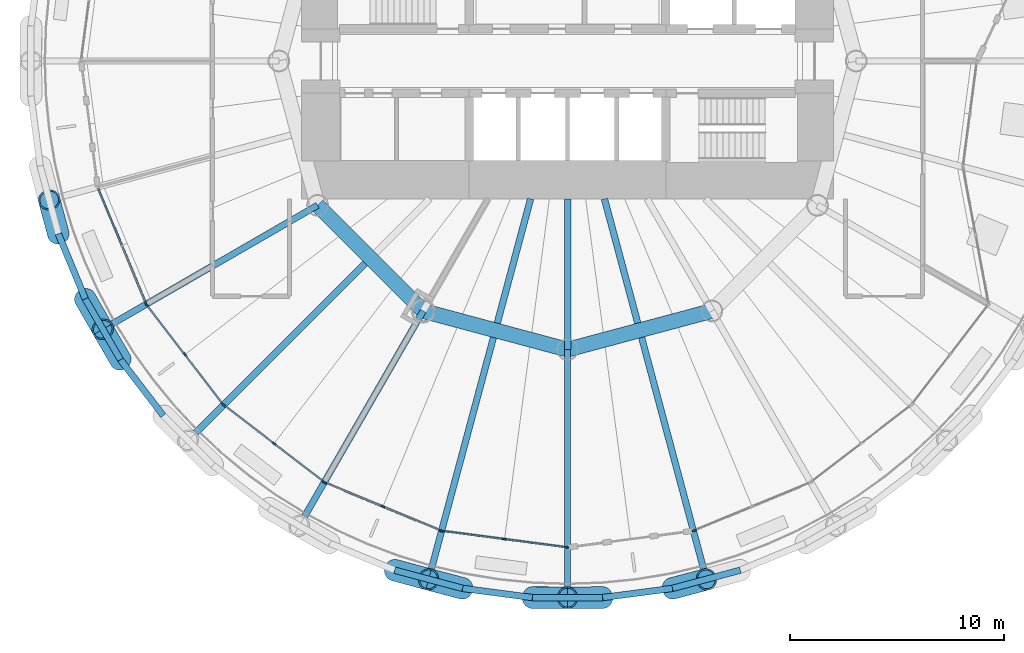
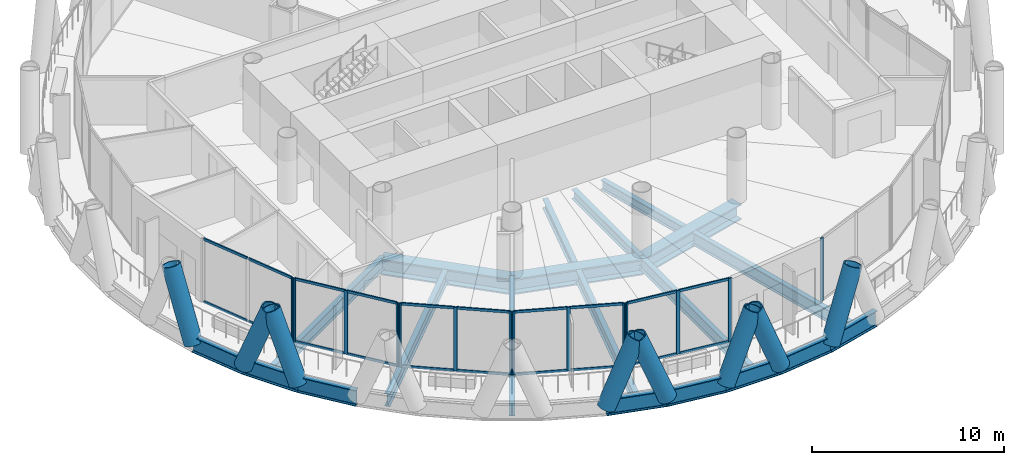
# One storey, part 2 of 15: 42 members, 20 beams, 6 elements without a shape of their own.
"""IFC4 building model written with IfcOpenShell, lengths in metres."""

from ifc_helpers import new_model, si_unit, direction, frame, origin, origin_2d, place, context, subcontext, project, spatial, rectangle, hollow_circle, i_section, extrude, material, material_profile, profile_set, type_object, element, aggregate, save


model = new_model("IFC4")

# Units and contexts
model_context = context("Model", 3, precision=1e-05, world=origin(), true_north=direction((0.0, 1.0)))
body_context = subcontext(model_context, "Body", "Model", "MODEL_VIEW")
ifc_project = project(units=[si_unit("LENGTHUNIT", "METRE"), si_unit("AREAUNIT", "SQUARE_METRE"), si_unit("VOLUMEUNIT", "CUBIC_METRE"), si_unit("PLANEANGLEUNIT", "RADIAN"), si_unit("MASSUNIT", "GRAM", prefix="KILO")], contexts=[model_context])

# Site, building, storey
site_placement = place(None, origin())
site = spatial("IfcSite", under=ifc_project, at=site_placement, CompositionType="ELEMENT")
building_placement = place(site_placement, origin())
building = spatial("IfcBuilding", under=site, at=building_placement, Name="Qaws Media Tower", CompositionType="ELEMENT")
storey_placement = place(building_placement, frame((0.0, 0.0, 122.60009765625)))
storey = spatial("IfcBuildingStorey", under=building, at=storey_placement, Name="L27", CompositionType="ELEMENT", Elevation=122.60009765625)

# Curtain wall, member
ifc_material_1 = material(Name="Aluminium and clear glass", Category="aluminium")
curtain_wall_type = type_object("IfcCurtainWallType", Name="Unitised curtain wall CW-B", PredefinedType="NOTDEFINED", material=ifc_material_1)
curtain_wall_1_placement = place(storey_placement, origin())
curtain_wall_1 = element("IfcCurtainWall", 1, at=curtain_wall_1_placement, inside=storey, type_object=curtain_wall_type, Name="CWB curtain wall L27-14", PredefinedType="NOTDEFINED")
ifc_material_2 = material(Name="Aluminium mullion", Category="aluminium")
ifc_material_profile_1 = material_profile(ifc_material_2, rectangle(XDim=0.080078125, YDim=0.199951171875, at=origin_2d()), Name="80x200")
ifc_profile_set_1 = profile_set([ifc_material_profile_1], Name="Aluminium mullion")
member_type_1 = type_object("IfcMemberType", Name="Curtain wall mullion 80x200", PredefinedType="MULLION", material=ifc_profile_set_1)
member_1_placement = place(storey_placement, frame((40.28271484375, 38.661865234375, 0.0), z_axis=(0.0, 0.0, 1.0), x_axis=(0.923879516221, 0.382683471693, 0.0)))
member_1 = element("IfcMember", 2, at=member_1_placement, type_object=member_type_1, Name="CWB mullion 3", PredefinedType="MULLION", context=body_context, shape_type="SweptSolid", body=[
    extrude(rectangle(XDim=0.080078125, YDim=0.199951171875, at=origin_2d()), origin(), (0.0, 0.0, 1.0), 4.039794921875),
])

# Curtain wall, members
curtain_wall_2_placement = place(storey_placement, origin())
curtain_wall_2 = element("IfcCurtainWall", 3, at=curtain_wall_2_placement, inside=storey, type_object=curtain_wall_type, Name="CWB curtain wall L27-15", PredefinedType="NOTDEFINED")
member_2_placement = place(storey_placement, frame((40.322265625, 38.59326171875, 0.0), z_axis=(0.0, 0.0, 1.0), x_axis=(0.793353296007, 0.608761486721, 0.0)))
member_2 = element("IfcMember", 4, at=member_2_placement, type_object=member_type_1, Name="CWB mullion 1", PredefinedType="MULLION", context=body_context, shape_type="SweptSolid", body=[
    extrude(rectangle(XDim=0.080078125, YDim=0.199951171875, at=origin_2d()), origin(), (0.0, 0.0, 1.0), 4.039794921875),
])
member_3_placement = place(storey_placement, frame((42.105712890625, 36.26904296875, 0.0), z_axis=(0.0, 0.0, 1.0), x_axis=(0.793353296007, 0.608761486721, 0.0)))
member_3 = element("IfcMember", 5, at=member_3_placement, type_object=member_type_1, Name="CWB mullion 2", PredefinedType="MULLION", context=body_context, shape_type="SweptSolid", body=[
    extrude(rectangle(XDim=0.080078125, YDim=0.199951171875, at=origin_2d()), origin(), (0.0, 0.0, 1.0), 4.039794921875),
])
member_4_placement = place(storey_placement, frame((43.888916015625, 33.945068359375, 0.0), z_axis=(0.0, 0.0, 1.0), x_axis=(0.793353296007, 0.608761486721, 0.0)))
member_4 = element("IfcMember", 6, at=member_4_placement, type_object=member_type_1, Name="CWB mullion 3", PredefinedType="MULLION", context=body_context, shape_type="SweptSolid", body=[
    extrude(rectangle(XDim=0.080078125, YDim=0.199951171875, at=origin_2d()), origin(), (0.0, 0.0, 1.0), 4.039794921875),
])

curtain_wall_3_placement = place(storey_placement, origin())
curtain_wall_3 = element("IfcCurtainWall", 7, at=curtain_wall_3_placement, inside=storey, type_object=curtain_wall_type, Name="CWB curtain wall L27-16", PredefinedType="NOTDEFINED")
member_5_placement = place(storey_placement, frame((43.945068359375, 33.888916015625, 0.0), z_axis=(0.0, 0.0, 1.0), x_axis=(0.608761486721, 0.793353296007, 0.0)))
member_5 = element("IfcMember", 8, at=member_5_placement, type_object=member_type_1, Name="CWB mullion 1", PredefinedType="MULLION", context=body_context, shape_type="SweptSolid", body=[
    extrude(rectangle(XDim=0.080078125, YDim=0.199951171875, at=origin_2d()), origin(), (0.0, 0.0, 1.0), 4.039794921875),
])
member_6_placement = place(storey_placement, frame((46.26904296875, 32.105712890625, 0.0), z_axis=(0.0, 0.0, 1.0), x_axis=(0.608761486721, 0.793353296007, 0.0)))
member_6 = element("IfcMember", 9, at=member_6_placement, type_object=member_type_1, Name="CWB mullion 2", PredefinedType="MULLION", context=body_context, shape_type="SweptSolid", body=[
    extrude(rectangle(XDim=0.080078125, YDim=0.199951171875, at=origin_2d()), origin(), (0.0, 0.0, 1.0), 4.039794921875),
])
member_7_placement = place(storey_placement, frame((48.59326171875, 30.322265625, 0.0), z_axis=(0.0, 0.0, 1.0), x_axis=(0.608761486721, 0.793353296007, 0.0)))
member_7 = element("IfcMember", 10, at=member_7_placement, type_object=member_type_1, Name="CWB mullion 3", PredefinedType="MULLION", context=body_context, shape_type="SweptSolid", body=[
    extrude(rectangle(XDim=0.080078125, YDim=0.199951171875, at=origin_2d()), origin(), (0.0, 0.0, 1.0), 4.039794921875),
])

curtain_wall_4_placement = place(storey_placement, origin())
curtain_wall_4 = element("IfcCurtainWall", 11, at=curtain_wall_4_placement, inside=storey, type_object=curtain_wall_type, Name="CWB curtain wall L27-17", PredefinedType="NOTDEFINED")
member_8_placement = place(storey_placement, frame((48.661865234375, 30.28271484375, 0.0), z_axis=(0.0, 0.0, 1.0), x_axis=(0.382683471693, 0.923879516221, 0.0)))
member_8 = element("IfcMember", 12, at=member_8_placement, type_object=member_type_1, Name="CWB mullion 1", PredefinedType="MULLION", context=body_context, shape_type="SweptSolid", body=[
    extrude(rectangle(XDim=0.080078125, YDim=0.199951171875, at=origin_2d()), origin(), (0.0, 0.0, 1.0), 4.039794921875),
])
member_9_placement = place(storey_placement, frame((51.368408203125, 29.16162109375, 0.0), z_axis=(0.0, 0.0, 1.0), x_axis=(0.382683471693, 0.923879516221, 0.0)))
member_9 = element("IfcMember", 13, at=member_9_placement, type_object=member_type_1, Name="CWB mullion 2", PredefinedType="MULLION", context=body_context, shape_type="SweptSolid", body=[
    extrude(rectangle(XDim=0.080078125, YDim=0.199951171875, at=origin_2d()), origin(), (0.0, 0.0, 1.0), 4.039794921875),
])
member_10_placement = place(storey_placement, frame((54.074951171875, 28.04052734375, 0.0), z_axis=(0.0, 0.0, 1.0), x_axis=(0.382683471693, 0.923879516221, 0.0)))
member_10 = element("IfcMember", 14, at=member_10_placement, type_object=member_type_1, Name="CWB mullion 3", PredefinedType="MULLION", context=body_context, shape_type="SweptSolid", body=[
    extrude(rectangle(XDim=0.080078125, YDim=0.199951171875, at=origin_2d()), origin(), (0.0, 0.0, 1.0), 4.039794921875),
])

curtain_wall_5_placement = place(storey_placement, origin())
curtain_wall_5 = element("IfcCurtainWall", 15, at=curtain_wall_5_placement, inside=storey, type_object=curtain_wall_type, Name="CWB curtain wall L27-18", PredefinedType="NOTDEFINED")
member_11_placement = place(storey_placement, frame((54.151611328125, 28.02001953125, 0.0), z_axis=(0.0, 0.0, 1.0), x_axis=(0.130526123437, 0.991444870429, 0.0)))
member_11 = element("IfcMember", 16, at=member_11_placement, type_object=member_type_1, Name="CWB mullion 1", PredefinedType="MULLION", context=body_context, shape_type="SweptSolid", body=[
    extrude(rectangle(XDim=0.080078125, YDim=0.199951171875, at=origin_2d()), origin(), (0.0, 0.0, 1.0), 4.039794921875),
])
member_12_placement = place(storey_placement, frame((57.055908203125, 27.6376953125, 0.0), z_axis=(0.0, 0.0, 1.0), x_axis=(0.130526123437, 0.991444870429, 0.0)))
member_12 = element("IfcMember", 17, at=member_12_placement, type_object=member_type_1, Name="CWB mullion 2", PredefinedType="MULLION", context=body_context, shape_type="SweptSolid", body=[
    extrude(rectangle(XDim=0.080078125, YDim=0.199951171875, at=origin_2d()), origin(), (0.0, 0.0, 1.0), 4.039794921875),
])
member_13_placement = place(storey_placement, frame((59.96044921875, 27.255126953125, 0.0), z_axis=(0.0, 0.0, 1.0), x_axis=(0.130526123437, 0.991444870429, 0.0)))
member_13 = element("IfcMember", 18, at=member_13_placement, type_object=member_type_1, Name="CWB mullion 3", PredefinedType="MULLION", context=body_context, shape_type="SweptSolid", body=[
    extrude(rectangle(XDim=0.080078125, YDim=0.199951171875, at=origin_2d()), origin(), (0.0, 0.0, 1.0), 4.039794921875),
])

# Curtain wall, member
curtain_wall_6_placement = place(storey_placement, origin())
curtain_wall_6 = element("IfcCurtainWall", 19, at=curtain_wall_6_placement, inside=storey, type_object=curtain_wall_type, Name="CWB curtain wall L27-20", PredefinedType="NOTDEFINED")
member_14_placement = place(storey_placement, frame((65.925048828125, 28.04052734375, 0.0), z_axis=(0.0, 0.0, 1.0), x_axis=(-0.382683471693, 0.923879516221, 0.0)))
member_14 = element("IfcMember", 20, at=member_14_placement, type_object=member_type_1, Name="CWB mullion 1", PredefinedType="MULLION", context=body_context, shape_type="SweptSolid", body=[
    extrude(rectangle(XDim=0.080078125, YDim=0.199951171875, at=origin_2d()), origin(), (0.0, 0.0, 1.0), 4.039794921875),
])
aggregate(curtain_wall_6, [member_14])

# Member
ifc_material_3 = material(Name="Aluminium transom", Category="aluminium")
ifc_material_profile_2 = material_profile(ifc_material_3, rectangle(XDim=0.080078125, YDim=0.159912109375, at=origin_2d()), Name="80x160")
ifc_profile_set_2 = profile_set([ifc_material_profile_2], Name="Aluminium transom")
member_type_2 = type_object("IfcMemberType", Name="Curtain wall transom 80x160", PredefinedType="USERDEFINED", material=ifc_profile_set_2)
member_15_placement = place(storey_placement, frame((38.055908203125, 44.037841796875, 0.039794921875), z_axis=(0.382649436764, -0.923893613217, 0.0), x_axis=(0.923893613217, 0.382649436764, 0.0)))
member_15 = element("IfcMember", 21, at=member_15_placement, type_object=member_type_2, Name="CWB transom 1.1", ObjectType="TRANSOM", PredefinedType="USERDEFINED", context=body_context, shape_type="SweptSolid", body=[
    extrude(rectangle(XDim=0.080078125, YDim=0.159912109375, at=origin_2d()), origin(), (0.0, 0.0, 1.0), 2.849365234375),
])

member_16_placement = place(storey_placement, frame((38.055908203125, 44.037841796875, 4.0), z_axis=(0.382649436764, -0.923893613217, 0.0), x_axis=(0.923893613217, 0.382649436764, 0.0)))
member_16 = element("IfcMember", 22, at=member_16_placement, type_object=member_type_2, Name="CWB transom 1.2", ObjectType="TRANSOM", PredefinedType="USERDEFINED", context=body_context, shape_type="SweptSolid", body=[
    extrude(rectangle(XDim=0.080078125, YDim=0.159912109375, at=origin_2d()), origin(), (0.0, 0.0, 1.0), 2.849365234375),
])

member_17_placement = place(storey_placement, frame((39.1767578125, 41.33154296875, 0.039794921875), z_axis=(0.38272256834, -0.923863320889, 0.0), x_axis=(0.923863320889, 0.38272256834, 0.0)))
member_17 = element("IfcMember", 23, at=member_17_placement, type_object=member_type_2, Name="CWB transom 2.1", ObjectType="TRANSOM", PredefinedType="USERDEFINED", context=body_context, shape_type="SweptSolid", body=[
    extrude(rectangle(XDim=0.080078125, YDim=0.159912109375, at=origin_2d()), origin(), (0.0, 0.0, 1.0), 2.849609375),
])

member_18_placement = place(storey_placement, frame((39.1767578125, 41.33154296875, 4.0), z_axis=(0.38272256834, -0.923863320889, 0.0), x_axis=(0.923863320889, 0.38272256834, 0.0)))
member_18 = element("IfcMember", 24, at=member_18_placement, type_object=member_type_2, Name="CWB transom 2.2", ObjectType="TRANSOM", PredefinedType="USERDEFINED", context=body_context, shape_type="SweptSolid", body=[
    extrude(rectangle(XDim=0.080078125, YDim=0.159912109375, at=origin_2d()), origin(), (0.0, 0.0, 1.0), 2.849609375),
])

aggregate(curtain_wall_1, [member_1, member_15, member_16, member_17, member_18])

member_19_placement = place(storey_placement, frame((40.3466796875, 38.5615234375, 0.039794921875), z_axis=(0.608737274752, -0.79337187392, 0.0), x_axis=(0.79337187392, 0.608737274752, 0.0)))
member_19 = element("IfcMember", 25, at=member_19_placement, type_object=member_type_2, Name="CWB transom 1.1", ObjectType="TRANSOM", PredefinedType="USERDEFINED", context=body_context, shape_type="SweptSolid", body=[
    extrude(rectangle(XDim=0.080078125, YDim=0.159912109375, at=origin_2d()), origin(), (0.0, 0.0, 1.0), 2.849609375),
])

member_20_placement = place(storey_placement, frame((40.3466796875, 38.5615234375, 4.0), z_axis=(0.608737274752, -0.79337187392, 0.0), x_axis=(0.79337187392, 0.608737274752, 0.0)))
member_20 = element("IfcMember", 26, at=member_20_placement, type_object=member_type_2, Name="CWB transom 1.2", ObjectType="TRANSOM", PredefinedType="USERDEFINED", context=body_context, shape_type="SweptSolid", body=[
    extrude(rectangle(XDim=0.080078125, YDim=0.159912109375, at=origin_2d()), origin(), (0.0, 0.0, 1.0), 2.849609375),
])

member_21_placement = place(storey_placement, frame((42.1298828125, 36.2373046875, 0.039794921875), z_axis=(0.608778655024, -0.793340122008, 0.0), x_axis=(0.793340122008, 0.608778655024, 0.0)))
member_21 = element("IfcMember", 27, at=member_21_placement, type_object=member_type_2, Name="CWB transom 2.1", ObjectType="TRANSOM", PredefinedType="USERDEFINED", context=body_context, shape_type="SweptSolid", body=[
    extrude(rectangle(XDim=0.080078125, YDim=0.159912109375, at=origin_2d()), origin(), (0.0, 0.0, 1.0), 2.849365234375),
])

member_22_placement = place(storey_placement, frame((42.1298828125, 36.2373046875, 4.0), z_axis=(0.608778655024, -0.793340122008, 0.0), x_axis=(0.793340122008, 0.608778655024, 0.0)))
member_22 = element("IfcMember", 28, at=member_22_placement, type_object=member_type_2, Name="CWB transom 2.2", ObjectType="TRANSOM", PredefinedType="USERDEFINED", context=body_context, shape_type="SweptSolid", body=[
    extrude(rectangle(XDim=0.080078125, YDim=0.159912109375, at=origin_2d()), origin(), (0.0, 0.0, 1.0), 2.849365234375),
])

aggregate(curtain_wall_2, [member_2, member_3, member_4, member_19, member_20, member_21, member_22])

member_23_placement = place(storey_placement, frame((43.976806640625, 33.864501953125, 0.039794921875), z_axis=(0.793340122008, -0.608778655024, 0.0), x_axis=(0.608778655024, 0.793340122008, 0.0)))
member_23 = element("IfcMember", 29, at=member_23_placement, type_object=member_type_2, Name="CWB transom 1.1", ObjectType="TRANSOM", PredefinedType="USERDEFINED", context=body_context, shape_type="SweptSolid", body=[
    extrude(rectangle(XDim=0.080078125, YDim=0.159912109375, at=origin_2d()), origin(), (0.0, 0.0, 1.0), 2.849365234375),
])

member_24_placement = place(storey_placement, frame((43.976806640625, 33.864501953125, 4.0), z_axis=(0.793340122008, -0.608778655024, 0.0), x_axis=(0.608778655024, 0.793340122008, 0.0)))
member_24 = element("IfcMember", 30, at=member_24_placement, type_object=member_type_2, Name="CWB transom 1.2", ObjectType="TRANSOM", PredefinedType="USERDEFINED", context=body_context, shape_type="SweptSolid", body=[
    extrude(rectangle(XDim=0.080078125, YDim=0.159912109375, at=origin_2d()), origin(), (0.0, 0.0, 1.0), 2.849365234375),
])

member_25_placement = place(storey_placement, frame((46.30078125, 32.081298828125, 0.039794921875), z_axis=(0.79337187392, -0.608737274752, 0.0), x_axis=(0.608737274752, 0.79337187392, 0.0)))
member_25 = element("IfcMember", 31, at=member_25_placement, type_object=member_type_2, Name="CWB transom 2.1", ObjectType="TRANSOM", PredefinedType="USERDEFINED", context=body_context, shape_type="SweptSolid", body=[
    extrude(rectangle(XDim=0.080078125, YDim=0.159912109375, at=origin_2d()), origin(), (0.0, 0.0, 1.0), 2.849609375),
])

member_26_placement = place(storey_placement, frame((46.30078125, 32.081298828125, 4.0), z_axis=(0.79337187392, -0.608737274752, 0.0), x_axis=(0.608737274752, 0.79337187392, 0.0)))
member_26 = element("IfcMember", 32, at=member_26_placement, type_object=member_type_2, Name="CWB transom 2.2", ObjectType="TRANSOM", PredefinedType="USERDEFINED", context=body_context, shape_type="SweptSolid", body=[
    extrude(rectangle(XDim=0.080078125, YDim=0.159912109375, at=origin_2d()), origin(), (0.0, 0.0, 1.0), 2.849609375),
])

aggregate(curtain_wall_3, [member_5, member_6, member_7, member_23, member_24, member_25, member_26])

member_27_placement = place(storey_placement, frame((48.698974609375, 30.267333984375, 0.039794921875), z_axis=(0.923863320889, -0.38272256834, 0.0), x_axis=(0.38272256834, 0.923863320889, 0.0)))
member_27 = element("IfcMember", 33, at=member_27_placement, type_object=member_type_2, Name="CWB transom 1.1", ObjectType="TRANSOM", PredefinedType="USERDEFINED", context=body_context, shape_type="SweptSolid", body=[
    extrude(rectangle(XDim=0.080078125, YDim=0.159912109375, at=origin_2d()), origin(), (0.0, 0.0, 1.0), 2.849609375),
])

member_28_placement = place(storey_placement, frame((48.698974609375, 30.267333984375, 4.0), z_axis=(0.923863320889, -0.38272256834, 0.0), x_axis=(0.38272256834, 0.923863320889, 0.0)))
member_28 = element("IfcMember", 34, at=member_28_placement, type_object=member_type_2, Name="CWB transom 1.2", ObjectType="TRANSOM", PredefinedType="USERDEFINED", context=body_context, shape_type="SweptSolid", body=[
    extrude(rectangle(XDim=0.080078125, YDim=0.159912109375, at=origin_2d()), origin(), (0.0, 0.0, 1.0), 2.849609375),
])

member_29_placement = place(storey_placement, frame((51.4052734375, 29.146240234375, 0.039794921875), z_axis=(0.923893613217, -0.382649436764, 0.0), x_axis=(0.382649436764, 0.923893613217, 0.0)))
member_29 = element("IfcMember", 35, at=member_29_placement, type_object=member_type_2, Name="CWB transom 2.1", ObjectType="TRANSOM", PredefinedType="USERDEFINED", context=body_context, shape_type="SweptSolid", body=[
    extrude(rectangle(XDim=0.080078125, YDim=0.159912109375, at=origin_2d()), origin(), (0.0, 0.0, 1.0), 2.849365234375),
])

member_30_placement = place(storey_placement, frame((51.4052734375, 29.146240234375, 4.0), z_axis=(0.923893613217, -0.382649436764, 0.0), x_axis=(0.382649436764, 0.923893613217, 0.0)))
member_30 = element("IfcMember", 36, at=member_30_placement, type_object=member_type_2, Name="CWB transom 2.2", ObjectType="TRANSOM", PredefinedType="USERDEFINED", context=body_context, shape_type="SweptSolid", body=[
    extrude(rectangle(XDim=0.080078125, YDim=0.159912109375, at=origin_2d()), origin(), (0.0, 0.0, 1.0), 2.849365234375),
])

aggregate(curtain_wall_4, [member_8, member_9, member_10, member_27, member_28, member_29, member_30])

member_31_placement = place(storey_placement, frame((54.191162109375, 28.0146484375, 0.039794921875), z_axis=(0.991450212439, -0.130485540403, 0.0), x_axis=(0.130485540403, 0.991450212439, 0.0)))
member_31 = element("IfcMember", 37, at=member_31_placement, type_object=member_type_2, Name="CWB transom 1.1", ObjectType="TRANSOM", PredefinedType="USERDEFINED", context=body_context, shape_type="SweptSolid", body=[
    extrude(rectangle(XDim=0.080078125, YDim=0.159912109375, at=origin_2d()), origin(), (0.0, 0.0, 1.0), 2.849609375),
])

member_32_placement = place(storey_placement, frame((54.191162109375, 28.0146484375, 4.0), z_axis=(0.991450212439, -0.130485540403, 0.0), x_axis=(0.130485540403, 0.991450212439, 0.0)))
member_32 = element("IfcMember", 38, at=member_32_placement, type_object=member_type_2, Name="CWB transom 1.2", ObjectType="TRANSOM", PredefinedType="USERDEFINED", context=body_context, shape_type="SweptSolid", body=[
    extrude(rectangle(XDim=0.080078125, YDim=0.159912109375, at=origin_2d()), origin(), (0.0, 0.0, 1.0), 2.849609375),
])

member_33_placement = place(storey_placement, frame((57.095703125, 27.63232421875, 0.039794921875), z_axis=(0.991448753482, -0.130496625318, 0.0), x_axis=(0.130496625318, 0.991448753482, 0.0)))
member_33 = element("IfcMember", 39, at=member_33_placement, type_object=member_type_2, Name="CWB transom 2.1", ObjectType="TRANSOM", PredefinedType="USERDEFINED", context=body_context, shape_type="SweptSolid", body=[
    extrude(rectangle(XDim=0.080078125, YDim=0.159912109375, at=origin_2d()), origin(), (0.0, 0.0, 1.0), 2.849365234375),
])

member_34_placement = place(storey_placement, frame((57.095703125, 27.63232421875, 4.0), z_axis=(0.991448753482, -0.130496625318, 0.0), x_axis=(0.130496625318, 0.991448753482, 0.0)))
member_34 = element("IfcMember", 40, at=member_34_placement, type_object=member_type_2, Name="CWB transom 2.2", ObjectType="TRANSOM", PredefinedType="USERDEFINED", context=body_context, shape_type="SweptSolid", body=[
    extrude(rectangle(XDim=0.080078125, YDim=0.159912109375, at=origin_2d()), origin(), (0.0, 0.0, 1.0), 2.849365234375),
])

aggregate(curtain_wall_5, [member_11, member_12, member_13, member_31, member_32, member_33, member_34])

# Members
ifc_material_4 = material(Name="Steel S460", Category="steel")
ifc_material_profile_3 = material_profile(ifc_material_4, hollow_circle(Radius=0.508056640625, WallThickness=0.070068359375, at=origin_2d()), Name="CHS 1016x70")
ifc_profile_set_3 = profile_set([ifc_material_profile_3], Name="Steel S460")
member_type_3 = type_object("IfcMemberType", Name="Diagrid member CHS 1016x70", PredefinedType="USERDEFINED", material=ifc_profile_set_3)
for number, where, z_axis, x_axis, name in (
    (41, (37.443603515625, 38.87646484375, -0.6640625), (0.181592959618, -0.316258617899, 0.931130755384), (0.867209184254, 0.497944003624, 0.0), "DG3 diagrid L27 A14"),
    (42, (36.184814453125, 41.915771484375, -0.6640625), (-0.095207834857, 0.352036246678, 0.931131542375), (-0.965319934885, -0.261069767138, 0.0), "DG3 diagrid L27 B14"),
    (43, (39.088623046875, 36.02734375, -0.6640625), (-0.183107968117, 0.315391702695, 0.931128103906), (-0.864815971957, -0.502088970848, 0.0), "DG3 diagrid L27 B15"),
    (44, (51.915771484375, 26.184814453125, -0.6640625), (0.352036246678, -0.095207834857, 0.931131542375), (0.261069767138, 0.965319934885, 0.0), "DG3 diagrid L27 A17"),
    (45, (58.355224609375, 24.90380859375, -0.6640625), (0.364652263456, -0.000866028828, 0.931143370674), (0.002374937639, 0.999997179832, 0.0), "DG3 diagrid L27 A18"),
    (46, (55.093505859375, 25.333251953125, -0.6640625), (-0.35246951994, 0.093584121618, 0.931132240713), (-0.256618631553, -0.966512740702, 0.0), "DG3 diagrid L27 B18"),
    (47, (64.906494140625, 25.333251953125, -0.6640625), (0.35246951994, 0.093584121618, 0.931132240713), (-0.256618631553, 0.966512740702, 0.0), "DG3 diagrid L27 A19"),
    (48, (61.644775390625, 24.90380859375, -0.6640625), (-0.364652263456, -0.000866028828, 0.931143370674), (0.002374937639, -0.999997179832, 0.0), "DG3 diagrid L27 B19"),
):
    element("IfcMember", number, at=place(storey_placement, frame(where, z_axis=z_axis, x_axis=x_axis)), inside=storey, type_object=member_type_3, Name=name, ObjectType="DIAGRID", PredefinedType="USERDEFINED", context=body_context, shape_type="SweptSolid", body=[
        extrude(hollow_circle(Radius=0.508056640625, WallThickness=0.070068359375, at=origin_2d()), origin(), (0.0, 0.0, 1.0), 4.510498046875),
    ])

# Beams
ifc_material_5 = material(Name="Steel S460", Category="steel")
ifc_material_profile_4 = material_profile(ifc_material_5, i_section(OverallWidth=0.302001953125, OverallDepth=1.008056640625, WebThickness=0.02099609375, FlangeThickness=0.0400390625, FilletRadius=0.030029296875, at=origin_2d()), Name="HE 1000 M")
ifc_profile_set_4 = profile_set([ifc_material_profile_4], Name="Steel S460")
beam_type_1 = type_object("IfcBeamType", Name="Edge ring beam HE 1000 M", PredefinedType="BEAM", material=ifc_profile_set_4)
beam_1_placement = place(storey_placement, frame((36.184814453125, 41.915771484375, -0.6640625), z_axis=(0.382648931533, -0.923893822469, 0.0), x_axis=(0.923893822469, 0.382648931533, 0.0)))
element("IfcBeam", 49, at=beam_1_placement, inside=storey, type_object=beam_type_1, Name="RB3 edge ring beam L27-27", PredefinedType="BEAM", context=body_context, shape_type="SweptSolid", body=[
    extrude(i_section(OverallWidth=0.302001953125, OverallDepth=1.008056640625, WebThickness=0.02099609375, FlangeThickness=0.0400390625, FilletRadius=0.030029296875, at=origin_2d()), origin(), (0.0, 0.0, 1.0), 3.28955078125),
])
beam_2_placement = place(storey_placement, frame((37.443603515625, 38.87646484375, -0.6640625), z_axis=(0.50001794124, -0.866015045157, 0.0), x_axis=(0.866015045157, 0.50001794124, 0.0)))
element("IfcBeam", 50, at=beam_2_placement, inside=storey, type_object=beam_type_1, Name="RB3 edge ring beam L27-28", PredefinedType="BEAM", context=body_context, shape_type="SweptSolid", body=[
    extrude(i_section(OverallWidth=0.302001953125, OverallDepth=1.008056640625, WebThickness=0.02099609375, FlangeThickness=0.0400390625, FilletRadius=0.030029296875, at=origin_2d()), origin(), (0.0, 0.0, 1.0), 3.2900390625),
])
for number, where, z_axis, x_axis, name in (
    (51, (39.088623046875, 36.02734375, -0.6640625), (0.608774250961, -0.793343501496, 0.0), (0.793343501496, 0.608774250961, 0.0), "RB3 edge ring beam L27-29"),
    (52, (51.915771484375, 26.184814453125, -0.6640625), (0.965918900074, -0.258844892706, 0.0), (0.258844892706, 0.965918900074, 0.0), "RB3 edge ring beam L27-34"),
    (53, (55.093505859375, 25.333251953125, -0.6640625), (0.991443683639, -0.130535137689, 0.0), (0.130535137689, 0.991443683639, 0.0), "RB3 edge ring beam L27-35"),
):
    element("IfcBeam", number, at=place(storey_placement, frame(where, z_axis=z_axis, x_axis=x_axis)), inside=storey, type_object=beam_type_1, Name=name, PredefinedType="BEAM", context=body_context, shape_type="SweptSolid", body=[
        extrude(i_section(OverallWidth=0.302001953125, OverallDepth=1.008056640625, WebThickness=0.02099609375, FlangeThickness=0.0400390625, FilletRadius=0.030029296875, at=origin_2d()), origin(), (0.0, 0.0, 1.0), 3.289794921875),
    ])
beam_3_placement = place(storey_placement, frame((58.355224609375, 24.90380859375, -0.6640625), z_axis=(1.0, 0.0, 0.0), x_axis=(0.0, 1.0, 0.0)))
element("IfcBeam", 54, at=beam_3_placement, inside=storey, type_object=beam_type_1, Name="RB3 edge ring beam L27-36", PredefinedType="BEAM", context=body_context, shape_type="SweptSolid", body=[
    extrude(i_section(OverallWidth=0.302001953125, OverallDepth=1.008056640625, WebThickness=0.02099609375, FlangeThickness=0.0400390625, FilletRadius=0.030029296875, at=origin_2d()), origin(), (0.0, 0.0, 1.0), 3.28955078125),
])
for number, where, z_axis, x_axis, name in (
    (55, (61.644775390625, 24.90380859375, -0.6640625), (0.991443683639, 0.130535137689, 0.0), (-0.130535137689, 0.991443683639, 0.0), "RB3 edge ring beam L27-37"),
    (56, (64.906494140625, 25.333251953125, -0.6640625), (0.965918900074, 0.258844892706, 0.0), (-0.258844892706, 0.965918900074, 0.0), "RB3 edge ring beam L27-38"),
):
    element("IfcBeam", number, at=place(storey_placement, frame(where, z_axis=z_axis, x_axis=x_axis)), inside=storey, type_object=beam_type_1, Name=name, PredefinedType="BEAM", context=body_context, shape_type="SweptSolid", body=[
        extrude(i_section(OverallWidth=0.302001953125, OverallDepth=1.008056640625, WebThickness=0.02099609375, FlangeThickness=0.0400390625, FilletRadius=0.030029296875, at=origin_2d()), origin(), (0.0, 0.0, 1.0), 3.289794921875),
    ])
ifc_material_6 = material(Name="Steel S460", Category="steel")
ifc_material_profile_5 = material_profile(ifc_material_6, i_section(OverallWidth=0.699951171875, OverallDepth=1.0, WebThickness=0.034912109375, FlangeThickness=0.090087890625, at=origin_2d()), Name="PG 1000x700")
ifc_profile_set_5 = profile_set([ifc_material_profile_5], Name="Steel S460")
beam_type_2 = type_object("IfcBeamType", Name="Inner ring girder PG 1000x700", PredefinedType="BEAM", material=ifc_profile_set_5)
beam_4_placement = place(storey_placement, frame((48.30859375, 43.25, -0.66015625), z_axis=(0.707106781187, -0.707106781187, 0.0), x_axis=(0.707106781187, 0.707106781187, 0.0)))
element("IfcBeam", 57, at=beam_4_placement, inside=storey, type_object=beam_type_2, Name="B3 inner ring beam L27 I08-I09", PredefinedType="BEAM", context=body_context, shape_type="SweptSolid", body=[
    extrude(i_section(OverallWidth=0.699951171875, OverallDepth=1.0, WebThickness=0.034912109375, FlangeThickness=0.090087890625, at=origin_2d()), origin(), (0.0, 0.0, 1.0), 6.98828125),
])
for number, where, z_axis, x_axis, name in (
    (58, (53.25, 38.30859375, -0.66015625), (0.965928090778, -0.258810593767, 0.0), (0.258810593767, 0.965928090778, 0.0), "B3 inner ring beam L27 I09-I10"),
    (59, (60.0, 36.5, -0.66015625), (0.965928090778, 0.258810593767, 0.0), (-0.258810593767, 0.965928090778, 0.0), "B3 inner ring beam L27 I10-I11"),
):
    element("IfcBeam", number, at=place(storey_placement, frame(where, z_axis=z_axis, x_axis=x_axis)), inside=storey, type_object=beam_type_2, Name=name, PredefinedType="BEAM", context=body_context, shape_type="SweptSolid", body=[
        extrude(i_section(OverallWidth=0.699951171875, OverallDepth=1.0, WebThickness=0.034912109375, FlangeThickness=0.090087890625, at=origin_2d()), origin(), (0.0, 0.0, 1.0), 6.988037109375),
    ])
ifc_material_7 = material(Name="Steel S355", Category="steel")
ifc_material_profile_6 = material_profile(ifc_material_7, i_section(OverallWidth=0.304931640625, OverallDepth=0.6201171875, WebThickness=0.02099609375, FlangeThickness=0.0400390625, FilletRadius=0.027099609375, at=origin_2d()), Name="HE 600 M")
ifc_profile_set_6 = profile_set([ifc_material_profile_6], Name="Steel S355")
beam_type_3 = type_object("IfcBeamType", Name="Radial beam HE 600 M, core side", PredefinedType="BEAM", material=ifc_profile_set_6)
beam_5_placement = place(storey_placement, frame((58.271728515625, 43.550048828125, -0.47021484375), z_axis=(-0.258819977482, -0.965925576458, 0.0), x_axis=(0.965925576458, -0.258819977482, 0.0)))
element("IfcBeam", 60, at=beam_5_placement, inside=storey, type_object=beam_type_3, Name="B2 radial beam L27 18", PredefinedType="BEAM", context=body_context, shape_type="SweptSolid", body=[
    extrude(i_section(OverallWidth=0.304931640625, OverallDepth=0.6201171875, WebThickness=0.02099609375, FlangeThickness=0.0400390625, FilletRadius=0.027099609375, at=origin_2d()), origin(), (0.0, 0.0, 1.0), 6.012451171875),
])
beam_6_placement = place(storey_placement, frame((60.0, 43.550048828125, -0.47021484375), z_axis=(0.0, -1.0, 0.0), x_axis=(1.0, 0.0, 0.0)))
element("IfcBeam", 61, at=beam_6_placement, inside=storey, type_object=beam_type_3, Name="B2 radial beam L27 19", PredefinedType="BEAM", context=body_context, shape_type="SweptSolid", body=[
    extrude(i_section(OverallWidth=0.304931640625, OverallDepth=0.6201171875, WebThickness=0.02099609375, FlangeThickness=0.0400390625, FilletRadius=0.027099609375, at=origin_2d()), origin(), (0.0, 0.0, 1.0), 7.050048828125),
])
beam_7_placement = place(storey_placement, frame((61.728271484375, 43.550048828125, -0.47021484375), z_axis=(0.258819977482, -0.965925576458, 0.0), x_axis=(0.965925576458, 0.258819977482, 0.0)))
element("IfcBeam", 62, at=beam_7_placement, inside=storey, type_object=beam_type_3, Name="B2 radial beam L27 20", PredefinedType="BEAM", context=body_context, shape_type="SweptSolid", body=[
    extrude(i_section(OverallWidth=0.304931640625, OverallDepth=0.6201171875, WebThickness=0.02099609375, FlangeThickness=0.0400390625, FilletRadius=0.027099609375, at=origin_2d()), origin(), (0.0, 0.0, 1.0), 6.012451171875),
])
ifc_material_8 = material(Name="Steel S355", Category="steel")
ifc_material_profile_7 = material_profile(ifc_material_8, i_section(OverallWidth=0.300048828125, OverallDepth=0.800048828125, WebThickness=0.017578125, FlangeThickness=0.032958984375, FilletRadius=0.030029296875, at=origin_2d()), Name="HE 800 B")
ifc_profile_set_7 = profile_set([ifc_material_profile_7], Name="Steel S355")
beam_type_4 = type_object("IfcBeamType", Name="Radial beam HE 800 B", PredefinedType="BEAM", material=ifc_profile_set_7)
beam_8_placement = place(storey_placement, frame((48.30859375, 43.25, -0.56005859375), z_axis=(-0.8660229056, -0.500004326958, 0.0), x_axis=(0.500004326958, -0.8660229056, 0.0)))
element("IfcBeam", 63, at=beam_8_placement, inside=storey, type_object=beam_type_4, Name="B1 radial beam L27 15", PredefinedType="BEAM", context=body_context, shape_type="SweptSolid", body=[
    extrude(i_section(OverallWidth=0.300048828125, OverallDepth=0.800048828125, WebThickness=0.017578125, FlangeThickness=0.032958984375, FilletRadius=0.030029296875, at=origin_2d()), origin(), (0.0, 0.0, 1.0), 11.59619140625),
])
beam_9_placement = place(storey_placement, frame((50.53173828125, 40.53173828125, -0.56005859375), z_axis=(-0.707106781187, -0.707106781187, 0.0), x_axis=(0.707106781187, -0.707106781187, 0.0)))
element("IfcBeam", 64, at=beam_9_placement, inside=storey, type_object=beam_type_4, Name="B1 radial beam L27 16", PredefinedType="BEAM", context=body_context, shape_type="SweptSolid", body=[
    extrude(i_section(OverallWidth=0.300048828125, OverallDepth=0.800048828125, WebThickness=0.017578125, FlangeThickness=0.032958984375, FilletRadius=0.030029296875, at=origin_2d()), origin(), (0.0, 0.0, 1.0), 11.705810546875),
])
beam_10_placement = place(storey_placement, frame((53.25, 38.30859375, -0.56005859375), z_axis=(-0.500004326958, -0.8660229056, 0.0), x_axis=(0.8660229056, -0.500004326958, 0.0)))
element("IfcBeam", 65, at=beam_10_placement, inside=storey, type_object=beam_type_4, Name="B1 radial beam L27 17", PredefinedType="BEAM", context=body_context, shape_type="SweptSolid", body=[
    extrude(i_section(OverallWidth=0.300048828125, OverallDepth=0.800048828125, WebThickness=0.017578125, FlangeThickness=0.032958984375, FilletRadius=0.030029296875, at=origin_2d()), origin(), (0.0, 0.0, 1.0), 11.59619140625),
])
beam_11_placement = place(storey_placement, frame((56.534423828125, 37.066162109375, -0.56005859375), z_axis=(-0.258822958322, -0.965924777737, 0.0), x_axis=(0.965924777737, -0.258822958322, 0.0)))
element("IfcBeam", 66, at=beam_11_placement, inside=storey, type_object=beam_type_4, Name="B1 radial beam L27 18", PredefinedType="BEAM", context=body_context, shape_type="SweptSolid", body=[
    extrude(i_section(OverallWidth=0.300048828125, OverallDepth=0.800048828125, WebThickness=0.017578125, FlangeThickness=0.032958984375, FilletRadius=0.030029296875, at=origin_2d()), origin(), (0.0, 0.0, 1.0), 11.7060546875),
])
beam_12_placement = place(storey_placement, frame((60.0, 36.5, -0.56005859375), z_axis=(0.0, -1.0, 0.0), x_axis=(1.0, 0.0, 0.0)))
element("IfcBeam", 67, at=beam_12_placement, inside=storey, type_object=beam_type_4, Name="B1 radial beam L27 19", PredefinedType="BEAM", context=body_context, shape_type="SweptSolid", body=[
    extrude(i_section(OverallWidth=0.300048828125, OverallDepth=0.800048828125, WebThickness=0.017578125, FlangeThickness=0.032958984375, FilletRadius=0.030029296875, at=origin_2d()), origin(), (0.0, 0.0, 1.0), 11.59619140625),
])
beam_13_placement = place(storey_placement, frame((63.465576171875, 37.066162109375, -0.56005859375), z_axis=(0.258822958322, -0.965924777737, 0.0), x_axis=(0.965924777737, 0.258822958322, 0.0)))
element("IfcBeam", 68, at=beam_13_placement, inside=storey, type_object=beam_type_4, Name="B1 radial beam L27 20", PredefinedType="BEAM", context=body_context, shape_type="SweptSolid", body=[
    extrude(i_section(OverallWidth=0.300048828125, OverallDepth=0.800048828125, WebThickness=0.017578125, FlangeThickness=0.032958984375, FilletRadius=0.030029296875, at=origin_2d()), origin(), (0.0, 0.0, 1.0), 11.7060546875),
])

save(model, "model.ifc")
